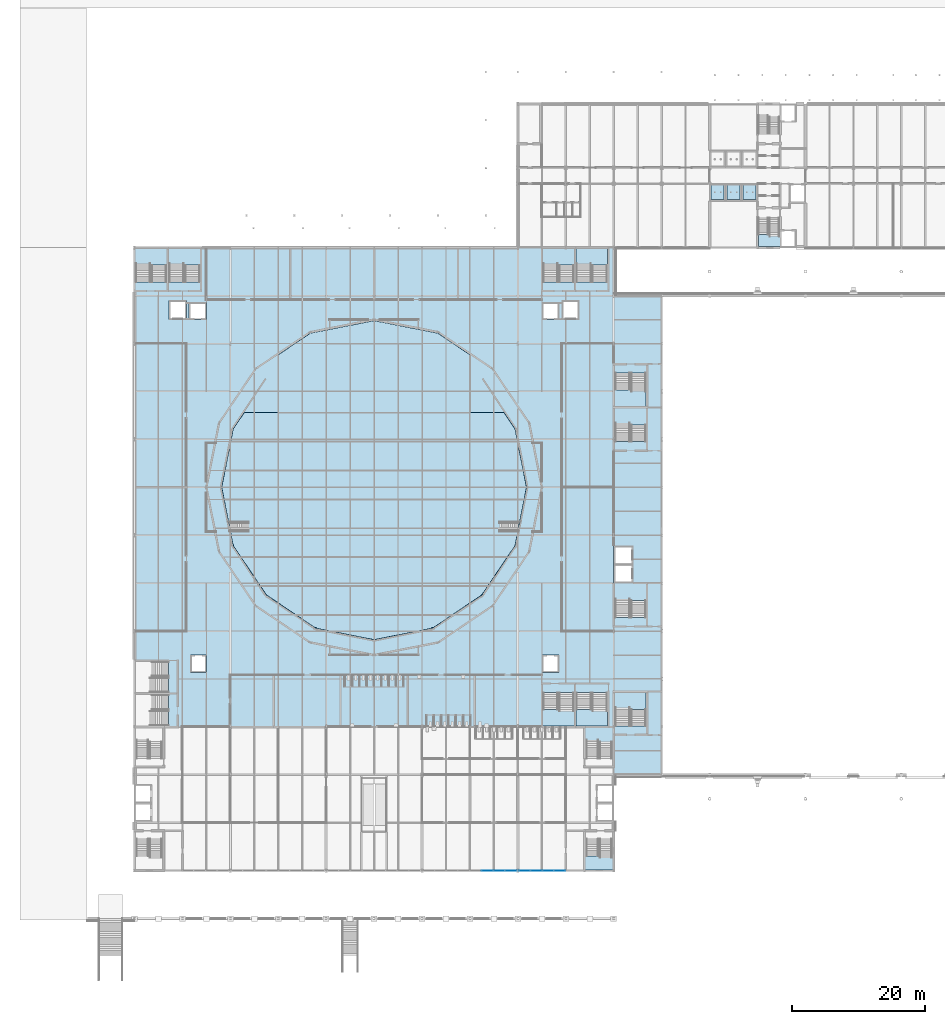
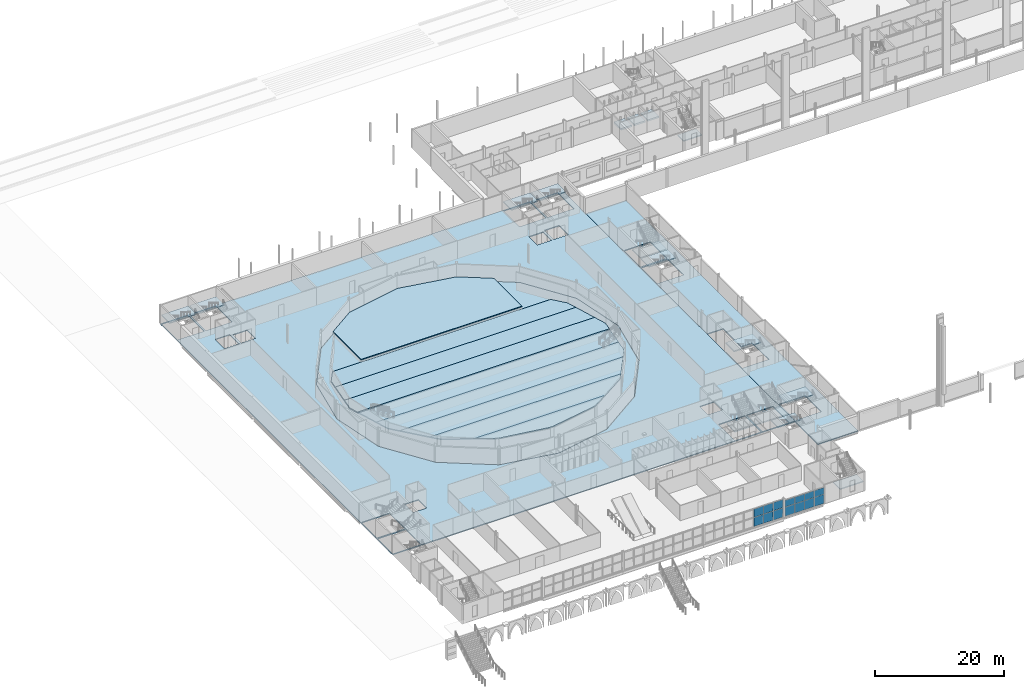
# One storey, part 43 of 90: 28 slabs, 14 plates, 15 elements without a shape of their own.
"""IFC4 building model written with IfcOpenShell, lengths in metres."""

from ifc_helpers import new_model, si_unit, direction, frame, origin, origin_2d, place, context, subcontext, project, spatial, polyline, rectangle, outline, extrude, material, layer, layer_set, type_object, element, aggregate, save


model = new_model("IFC4")

# Units and contexts
model_context = context("Model", 3, precision=1e-05, world=origin(), true_north=direction((0.0, 1.0)))
body_context = subcontext(model_context, "Body", "Model", "MODEL_VIEW")
ifc_project = project(units=[si_unit("LENGTHUNIT", "METRE"), si_unit("AREAUNIT", "SQUARE_METRE"), si_unit("VOLUMEUNIT", "CUBIC_METRE"), si_unit("PLANEANGLEUNIT", "RADIAN"), si_unit("MASSUNIT", "GRAM", prefix="KILO")], contexts=[model_context])

# Site, building, storey
site_placement = place(None, origin())
site = spatial("IfcSite", under=ifc_project, at=site_placement, CompositionType="ELEMENT")
building_placement = place(site_placement, origin())
building = spatial("IfcBuilding", under=site, at=building_placement, Name="Kupolbacken Congress Centre", CompositionType="ELEMENT")
storey_placement = place(building_placement, frame((0.0, 0.0, 3.60009765625)))
storey = spatial("IfcBuildingStorey", under=building, at=storey_placement, Name="L01", CompositionType="ELEMENT", Elevation=3.60009765625)

# Slabs
ifc_material_1 = material(Name="Concrete C30/37", Category="concrete")
ifc_layer_1 = layer(ifc_material_1, 0.300048828125)
ifc_layer_set_1 = layer_set([ifc_layer_1], Name="Concrete C30/37")
slab_type_1 = type_object("IfcSlabType", Name="BS3 slab 300", PredefinedType="BASESLAB", material=ifc_layer_set_1)
slab_1_placement = place(storey_placement, frame((0.0, 0.0, 1.89990234375)))
element("IfcSlab", 1, at=slab_1_placement, inside=storey, type_object=slab_type_1, Name="Lift pit slab LP9", PredefinedType="BASESLAB", context=body_context, shape_type="SweptSolid", body=[
    extrude(outline(polyline([(93.800048828125, 129.60009765625), (95.800048828125, 129.60009765625), (95.800048828125, 131.800048828125), (93.800048828125, 131.800048828125), (93.800048828125, 129.60009765625)])), origin(), (0.0, 0.0, 1.0), 0.300048828125),
])
slab_2_placement = place(storey_placement, frame((0.0, 0.0, 1.89990234375)))
element("IfcSlab", 2, at=slab_2_placement, inside=storey, type_object=slab_type_1, Name="Lift pit slab LP10", PredefinedType="BASESLAB", context=body_context, shape_type="SweptSolid", body=[
    extrude(outline(polyline([(96.199951171875, 129.60009765625), (98.199951171875, 129.60009765625), (98.199951171875, 131.800048828125), (96.199951171875, 131.800048828125), (96.199951171875, 129.60009765625)])), origin(), (0.0, 0.0, 1.0), 0.300048828125),
])
slab_3_placement = place(storey_placement, frame((0.0, 0.0, 1.89990234375)))
element("IfcSlab", 3, at=slab_3_placement, inside=storey, type_object=slab_type_1, Name="Lift pit slab LP11", PredefinedType="BASESLAB", context=body_context, shape_type="SweptSolid", body=[
    extrude(outline(polyline([(98.60009765625, 129.60009765625), (100.60009765625, 129.60009765625), (100.60009765625, 131.800048828125), (98.60009765625, 131.800048828125), (98.60009765625, 129.60009765625)])), origin(), (0.0, 0.0, 1.0), 0.300048828125),
])
ifc_material_2 = material(Name="Concrete C30/37", Category="concrete")
ifc_layer_2 = layer(ifc_material_2, 0.10009765625)
ifc_material_3 = material(Name="Steel S350 profiled deck", Category="steel")
ifc_layer_3 = layer(ifc_material_3, 0.06005859375)
ifc_layer_set_2 = layer_set([ifc_layer_2, ifc_layer_3], Name="Concrete C30/37 / Steel S350 profiled deck")
slab_type_2 = type_object("IfcSlabType", Name="FS2 slab 160", PredefinedType="FLOOR", material=ifc_layer_set_2)
slab_4_placement = place(storey_placement, frame((0.0, 0.0, 0.539794921875)))
element("IfcSlab", 4, at=slab_4_placement, inside=storey, type_object=slab_type_2, Name="Stage platform", PredefinedType="FLOOR", context=body_context, shape_type="SweptSolid", body=[
    extrude(outline(polyline([(33.612548828125, 109.54931640625), (43.199951171875, 111.43701171875), (52.787353515625, 109.54931640625), (57.60009765625, 106.301513671875), (57.60009765625, 97.60009765625), (28.800048828125, 97.60009765625), (28.800048828125, 106.301513671875), (33.612548828125, 109.54931640625)])), origin(), (0.0, 0.0, 1.0), 0.16015625),
])
ifc_layer_4 = layer(ifc_material_2, 0.1201171875)
ifc_layer_5 = layer(ifc_material_3, 0.06005859375)
ifc_layer_set_3 = layer_set([ifc_layer_4, ifc_layer_5], Name="Concrete C30/37 / Steel S350 profiled deck")
slab_type_3 = type_object("IfcSlabType", Name="FS3 slab 180", PredefinedType="FLOOR", material=ifc_layer_set_3)
slab_5_placement = place(storey_placement, frame((0.0, 0.0, -0.18017578125)))
element("IfcSlab", 5, at=slab_5_placement, inside=storey, type_object=slab_type_3, Name="S/floor/P/L01/slab/slab", PredefinedType="FLOOR", context=body_context, shape_type="SweptSolid", body=[
    extrude(outline(polyline([(7.200439453125, 50.400390625), (79.199462890625, 50.400390625), (79.199462890625, 122.3994140625), (7.200439453125, 122.3994140625), (7.200439453125, 50.400390625)]), holes=[polyline([(73.5244140625, 50.5244140625), (73.5244140625, 55.54052734375), (78.275390625, 55.54052734375), (78.275390625, 50.5244140625), (73.5244140625, 50.5244140625)]), polyline([(73.5244140625, 117.259521484375), (73.5244140625, 122.275390625), (78.275390625, 122.275390625), (78.275390625, 117.259521484375), (73.5244140625, 117.259521484375)]), polyline([(71.3994140625, 111.599609375), (71.3994140625, 114.50048828125), (74.00048828125, 114.50048828125), (74.00048828125, 111.599609375), (71.3994140625, 111.599609375)]), polyline([(73.275390625, 50.5244140625), (68.5244140625, 50.5244140625), (68.5244140625, 55.54052734375), (73.275390625, 55.54052734375), (73.275390625, 50.5244140625)]), polyline([(68.5244140625, 117.259521484375), (68.5244140625, 122.275390625), (73.275390625, 122.275390625), (73.275390625, 117.259521484375), (68.5244140625, 117.259521484375)]), polyline([(68.3994140625, 58.599609375), (68.3994140625, 61.200439453125), (71.00048828125, 61.200439453125), (71.00048828125, 58.599609375), (68.3994140625, 58.599609375)]), polyline([(68.3994140625, 111.599609375), (68.3994140625, 114.200439453125), (71.00048828125, 114.200439453125), (71.00048828125, 111.599609375), (68.3994140625, 111.599609375)]), polyline([(52.85009765625, 63.099609375), (43.199951171875, 61.199462890625), (33.5498046875, 63.099609375), (25.399658203125, 68.599609375), (19.8994140625, 76.749755859375), (17.99951171875, 86.39990234375), (19.8994140625, 96.05029296875), (25.399658203125, 104.200439453125), (33.5498046875, 109.700439453125), (43.199951171875, 111.6005859375), (52.85009765625, 109.700439453125), (61.000244140625, 104.200439453125), (66.50048828125, 96.05029296875), (68.400390625, 86.39990234375), (66.50048828125, 76.749755859375), (61.000244140625, 68.599609375), (52.85009765625, 63.099609375)]), polyline([(15.599609375, 58.599609375), (15.599609375, 61.200439453125), (18.00048828125, 61.200439453125), (18.00048828125, 58.599609375), (15.599609375, 58.599609375)]), polyline([(15.3994140625, 111.599609375), (15.3994140625, 114.200439453125), (18.00048828125, 114.200439453125), (18.00048828125, 111.599609375), (15.3994140625, 111.599609375)]), polyline([(12.324462890625, 117.259521484375), (12.324462890625, 122.275390625), (17.075439453125, 122.275390625), (17.075439453125, 117.259521484375), (12.324462890625, 117.259521484375)]), polyline([(12.3994140625, 111.599609375), (12.3994140625, 114.50048828125), (15.00048828125, 114.50048828125), (15.00048828125, 111.599609375), (12.3994140625, 111.599609375)]), polyline([(12.340576171875, 55.275390625), (12.340576171875, 50.5244140625), (7.324462890625, 50.5244140625), (7.324462890625, 55.275390625), (12.340576171875, 55.275390625)]), polyline([(7.324462890625, 55.5244140625), (7.324462890625, 60.275390625), (12.340576171875, 60.275390625), (12.340576171875, 55.5244140625), (7.324462890625, 55.5244140625)]), polyline([(7.324462890625, 117.259521484375), (7.324462890625, 122.275390625), (12.075439453125, 122.275390625), (12.075439453125, 117.259521484375), (7.324462890625, 117.259521484375)])]), origin(), (0.0, 0.0, 1.0), 0.18017578125),
])
slab_6_placement = place(storey_placement, frame((0.0, 0.0, -0.18017578125)))
element("IfcSlab", 6, at=slab_6_placement, inside=storey, type_object=slab_type_3, Name="S/floor/LINK/L01/slab/slab", PredefinedType="FLOOR", context=body_context, shape_type="SweptSolid", body=[
    extrude(outline(polyline([(86.3994140625, 43.200439453125), (86.3994140625, 115.199462890625), (79.200439453125, 115.199462890625), (79.200439453125, 77.6005859375), (82.1005859375, 77.6005859375), (82.1005859375, 72.00048828125), (84.075439453125, 72.00048828125), (84.075439453125, 66.859619140625), (79.324462890625, 66.859619140625), (79.324462890625, 71.99951171875), (79.200439453125, 71.99951171875), (79.200439453125, 43.200439453125), (86.3994140625, 43.200439453125)]), holes=[polyline([(79.324462890625, 98.275390625), (84.075439453125, 98.275390625), (84.075439453125, 93.259521484375), (79.324462890625, 93.259521484375), (79.324462890625, 98.275390625)]), polyline([(79.349609375, 103.5654296875), (84.050537109375, 103.5654296875), (84.050537109375, 98.549560546875), (79.349609375, 98.549560546875), (79.349609375, 103.5654296875)]), polyline([(79.349609375, 50.534423828125), (79.349609375, 55.550537109375), (84.050537109375, 55.550537109375), (84.050537109375, 50.534423828125), (79.349609375, 50.534423828125)])]), origin(), (0.0, 0.0, 1.0), 0.18017578125),
])

# Curtain wall, plates
ifc_material_4 = material(Name="Aluminium mullion-transom frame with glass", Category="aluminium")
curtain_wall_type = type_object("IfcCurtainWallType", Name="CW1 curtain wall 7200x3600", PredefinedType="NOTDEFINED", material=ifc_material_4)
curtain_wall_1_placement = place(storey_placement, origin())
curtain_wall_1 = element("IfcCurtainWall", 7, at=curtain_wall_1_placement, inside=storey, type_object=curtain_wall_type, Name="E/F/S/L01/143", PredefinedType="NOTDEFINED")
ifc_material_5 = material(Name="Glass", Category="glass")
ifc_layer_6 = layer(ifc_material_5, 0.035888671875)
ifc_layer_set_4 = layer_set([ifc_layer_6], Name="Glass")
plate_type = type_object("IfcPlateType", Name="GL2 glass panel 36", PredefinedType="CURTAIN_PANEL", material=ifc_layer_set_4)
plate_1_placement = place(storey_placement, frame((60.24365234375, 28.800048828125, 0.0498046875), z_axis=(0.0, 0.0, 1.0), x_axis=(1.0, 0.0, 0.0)))
plate_1 = element("IfcPlate", 8, at=plate_1_placement, type_object=plate_type, Name="CW1 panel 2.1", PredefinedType="CURTAIN_PANEL", context=body_context, shape_type="SweptSolid", body=[
    extrude(rectangle(XDim=1.71240234375, YDim=0.035888671875, at=origin_2d()), origin(), (0.0, 0.0, 1.0), 1.72509765625),
])
plate_2_placement = place(storey_placement, frame((60.24365234375, 28.800048828125, 1.824951171875), z_axis=(0.0, 0.0, 1.0), x_axis=(1.0, 0.0, 0.0)))
plate_2 = element("IfcPlate", 9, at=plate_2_placement, type_object=plate_type, Name="CW1 panel 2.2", PredefinedType="CURTAIN_PANEL", context=body_context, shape_type="SweptSolid", body=[
    extrude(rectangle(XDim=1.71240234375, YDim=0.035888671875, at=origin_2d()), origin(), (0.0, 0.0, 1.0), 1.544921875),
])
plate_3_placement = place(storey_placement, frame((62.00634765625, 28.800048828125, 0.0498046875), z_axis=(0.0, 0.0, 1.0), x_axis=(1.0, 0.0, 0.0)))
plate_3 = element("IfcPlate", 10, at=plate_3_placement, type_object=plate_type, Name="CW1 panel 3.1", PredefinedType="CURTAIN_PANEL", context=body_context, shape_type="SweptSolid", body=[
    extrude(rectangle(XDim=1.71240234375, YDim=0.035888671875, at=origin_2d()), origin(), (0.0, 0.0, 1.0), 1.72509765625),
])
plate_4_placement = place(storey_placement, frame((62.00634765625, 28.800048828125, 1.824951171875), z_axis=(0.0, 0.0, 1.0), x_axis=(1.0, 0.0, 0.0)))
plate_4 = element("IfcPlate", 11, at=plate_4_placement, type_object=plate_type, Name="CW1 panel 3.2", PredefinedType="CURTAIN_PANEL", context=body_context, shape_type="SweptSolid", body=[
    extrude(rectangle(XDim=1.71240234375, YDim=0.035888671875, at=origin_2d()), origin(), (0.0, 0.0, 1.0), 1.544921875),
])
plate_5_placement = place(storey_placement, frame((63.75634765625, 28.800048828125, 0.0498046875), z_axis=(0.0, 0.0, 1.0), x_axis=(1.0, 0.0, 0.0)))
plate_5 = element("IfcPlate", 12, at=plate_5_placement, type_object=plate_type, Name="CW1 panel 4.1", PredefinedType="CURTAIN_PANEL", context=body_context, shape_type="SweptSolid", body=[
    extrude(rectangle(XDim=1.6875, YDim=0.035888671875, at=origin_2d()), origin(), (0.0, 0.0, 1.0), 1.72509765625),
])
plate_6_placement = place(storey_placement, frame((63.75634765625, 28.800048828125, 1.824951171875), z_axis=(0.0, 0.0, 1.0), x_axis=(1.0, 0.0, 0.0)))
plate_6 = element("IfcPlate", 13, at=plate_6_placement, type_object=plate_type, Name="CW1 panel 4.2", PredefinedType="CURTAIN_PANEL", context=body_context, shape_type="SweptSolid", body=[
    extrude(rectangle(XDim=1.6875, YDim=0.035888671875, at=origin_2d()), origin(), (0.0, 0.0, 1.0), 1.544921875),
])
aggregate(curtain_wall_1, [plate_1, plate_2, plate_3, plate_4, plate_5, plate_6])

curtain_wall_2_placement = place(storey_placement, origin())
curtain_wall_2 = element("IfcCurtainWall", 14, at=curtain_wall_2_placement, inside=storey, type_object=curtain_wall_type, Name="E/F/S/L01/144", PredefinedType="NOTDEFINED")
plate_7_placement = place(storey_placement, frame((65.84375, 28.800048828125, 0.0498046875), z_axis=(0.0, 0.0, 1.0), x_axis=(1.0, 0.0, 0.0)))
plate_7 = element("IfcPlate", 15, at=plate_7_placement, type_object=plate_type, Name="CW1 panel 1.1", PredefinedType="CURTAIN_PANEL", context=body_context, shape_type="SweptSolid", body=[
    extrude(rectangle(XDim=1.6875, YDim=0.035888671875, at=origin_2d()), origin(), (0.0, 0.0, 1.0), 1.72509765625),
])
plate_8_placement = place(storey_placement, frame((65.84375, 28.800048828125, 1.824951171875), z_axis=(0.0, 0.0, 1.0), x_axis=(1.0, 0.0, 0.0)))
plate_8 = element("IfcPlate", 16, at=plate_8_placement, type_object=plate_type, Name="CW1 panel 1.2", PredefinedType="CURTAIN_PANEL", context=body_context, shape_type="SweptSolid", body=[
    extrude(rectangle(XDim=1.6875, YDim=0.035888671875, at=origin_2d()), origin(), (0.0, 0.0, 1.0), 1.2451171875),
])
plate_9_placement = place(storey_placement, frame((67.59375, 28.800048828125, 0.0498046875), z_axis=(0.0, 0.0, 1.0), x_axis=(1.0, 0.0, 0.0)))
plate_9 = element("IfcPlate", 17, at=plate_9_placement, type_object=plate_type, Name="CW1 panel 2.1", PredefinedType="CURTAIN_PANEL", context=body_context, shape_type="SweptSolid", body=[
    extrude(rectangle(XDim=1.71240234375, YDim=0.035888671875, at=origin_2d()), origin(), (0.0, 0.0, 1.0), 1.72509765625),
])
plate_10_placement = place(storey_placement, frame((67.59375, 28.800048828125, 1.824951171875), z_axis=(0.0, 0.0, 1.0), x_axis=(1.0, 0.0, 0.0)))
plate_10 = element("IfcPlate", 18, at=plate_10_placement, type_object=plate_type, Name="CW1 panel 2.2", PredefinedType="CURTAIN_PANEL", context=body_context, shape_type="SweptSolid", body=[
    extrude(rectangle(XDim=1.71240234375, YDim=0.035888671875, at=origin_2d()), origin(), (0.0, 0.0, 1.0), 1.2451171875),
])
plate_11_placement = place(storey_placement, frame((69.356201171875, 28.800048828125, 0.0498046875), z_axis=(0.0, 0.0, 1.0), x_axis=(1.0, 0.0, 0.0)))
plate_11 = element("IfcPlate", 19, at=plate_11_placement, type_object=plate_type, Name="CW1 panel 3.1", PredefinedType="CURTAIN_PANEL", context=body_context, shape_type="SweptSolid", body=[
    extrude(rectangle(XDim=1.71240234375, YDim=0.035888671875, at=origin_2d()), origin(), (0.0, 0.0, 1.0), 1.72509765625),
])
plate_12_placement = place(storey_placement, frame((69.356201171875, 28.800048828125, 1.824951171875), z_axis=(0.0, 0.0, 1.0), x_axis=(1.0, 0.0, 0.0)))
plate_12 = element("IfcPlate", 20, at=plate_12_placement, type_object=plate_type, Name="CW1 panel 3.2", PredefinedType="CURTAIN_PANEL", context=body_context, shape_type="SweptSolid", body=[
    extrude(rectangle(XDim=1.71240234375, YDim=0.035888671875, at=origin_2d()), origin(), (0.0, 0.0, 1.0), 1.2451171875),
])
plate_13_placement = place(storey_placement, frame((71.106201171875, 28.800048828125, 0.0498046875), z_axis=(0.0, 0.0, 1.0), x_axis=(1.0, 0.0, 0.0)))
plate_13 = element("IfcPlate", 21, at=plate_13_placement, type_object=plate_type, Name="CW1 panel 4.1", PredefinedType="CURTAIN_PANEL", context=body_context, shape_type="SweptSolid", body=[
    extrude(rectangle(XDim=1.6875, YDim=0.035888671875, at=origin_2d()), origin(), (0.0, 0.0, 1.0), 1.72509765625),
])
plate_14_placement = place(storey_placement, frame((71.106201171875, 28.800048828125, 1.824951171875), z_axis=(0.0, 0.0, 1.0), x_axis=(1.0, 0.0, 0.0)))
plate_14 = element("IfcPlate", 22, at=plate_14_placement, type_object=plate_type, Name="CW1 panel 4.2", PredefinedType="CURTAIN_PANEL", context=body_context, shape_type="SweptSolid", body=[
    extrude(rectangle(XDim=1.6875, YDim=0.035888671875, at=origin_2d()), origin(), (0.0, 0.0, 1.0), 1.2451171875),
])
aggregate(curtain_wall_2, [plate_7, plate_8, plate_9, plate_10, plate_11, plate_12, plate_13, plate_14])

# Slabs
ifc_layer_7 = layer(ifc_material_2, 0.1298828125)
ifc_layer_8 = layer(ifc_material_3, 0.06005859375)
ifc_layer_set_5 = layer_set([ifc_layer_7, ifc_layer_8], Name="Concrete C30/37 / Steel S350 profiled deck")
slab_type_4 = type_object("IfcSlabType", Name="RF1 slab 190", PredefinedType="FLOOR", material=ifc_layer_set_5)
slab_7_placement = place(storey_placement, frame((0.0, 0.0, -0.190185546875)))
element("IfcSlab", 23, at=slab_7_placement, inside=storey, type_object=slab_type_4, Name="S/floor/PL/L01/slab/slab", PredefinedType="FLOOR", context=body_context, shape_type="SweptSolid", body=[
    extrude(outline(polyline([(66.49951171875, 96.0498046875), (60.999755859375, 104.19970703125), (52.849853515625, 109.699462890625), (43.199951171875, 111.599609375), (33.55029296875, 109.699462890625), (25.400390625, 104.19970703125), (19.900390625, 96.0498046875), (18.00048828125, 86.39990234375), (19.900390625, 76.750244140625), (25.400390625, 68.600341796875), (33.55029296875, 63.1005859375), (43.199951171875, 61.200439453125), (52.849853515625, 63.1005859375), (60.999755859375, 68.600341796875), (66.49951171875, 76.750244140625), (68.3994140625, 86.39990234375), (66.49951171875, 96.0498046875)])), origin(), (0.0, 0.0, 1.0), 0.190185546875),
])
slab_8_placement = place(storey_placement, frame((22.029052734375, 95.164794921875, 0.42919921875), z_axis=(0.0, 0.097790471439, 0.995207025546), x_axis=(0.557562901908, 0.826155879758, -0.081179263098)))
element("IfcSlab", 24, at=slab_8_placement, inside=storey, type_object=slab_type_4, Name="Raked stalls tier 1", PredefinedType="FLOOR", context=body_context, shape_type="SweptSolid", body=[
    extrude(outline(polyline([(0.0, 0.0), (2.947747566910946, -4.40619762898109e-16), (24.72332858628814, -32.420853732164915), (23.608215137636822, -35.149394598183555), (22.229947757769523, -36.526552579134055), (-1.7960311850324833, -0.7551649691543693), (0.0, 0.0)])), origin(), (0.0, 0.0, -1.0), 0.18994140625),
])
slab_9_placement = place(storey_placement, frame((21.654541015625, 93.261962890625, 0.6162109375), z_axis=(0.0, 0.097817319288, 0.995204387072), x_axis=(1.0, 0.0, 0.0)))
element("IfcSlab", 25, at=slab_9_placement, inside=storey, type_object=slab_type_4, Name="Raked stalls tier 2", PredefinedType="FLOOR", context=body_context, shape_type="SweptSolid", body=[
    extrude(outline(polyline([(0.0, 0.0), (43.091064453125, 0.0), (43.945068359375, -4.357812444195179), (-0.85400390625, -4.357812444195179), (0.0, 0.0)])), origin(), (0.0, 0.0, -1.0), 0.18994140625),
])
slab_10_placement = place(storey_placement, frame((20.303466796875, 86.39990234375, 1.29052734375), z_axis=(0.0, 0.097790111549, 0.995207060909), x_axis=(0.192250759789, 0.976642302912, -0.095965918547)))
element("IfcSlab", 26, at=slab_10_placement, inside=storey, type_object=slab_type_4, Name="Raked stalls tier 3", PredefinedType="FLOOR", context=body_context, shape_type="SweptSolid", body=[
    extrude(outline(polyline([(0.0, 0.0), (2.5855310691398508, -2.3418766925686896e-17), (11.198186750045078, -43.963382922414674), (8.803779971398512, -44.93897868289072), (6.947367929519142, -44.93869223051814), (-1.719123596473462, -0.700503724295505), (0.0, 0.0)])), origin(), (0.0, 0.0, -1.0), 0.18994140625),
])
slab_11_placement = place(storey_placement, frame((20.660400390625, 84.5869140625, 1.46875), z_axis=(0.0, 0.097817319288, 0.995204387072), x_axis=(1.0, 0.0, 0.0)))
element("IfcSlab", 27, at=slab_11_placement, inside=storey, type_object=slab_type_4, Name="Raked stalls tier 4", PredefinedType="FLOOR", context=body_context, shape_type="SweptSolid", body=[
    extrude(outline(polyline([(0.0, 0.0), (45.0791015625, 0.0), (44.225341796875, -4.3578124441951775), (0.85400390625, -4.3578124441951775), (0.0, 0.0)])), origin(), (0.0, 0.0, -1.0), 0.18994140625),
])
slab_12_placement = place(storey_placement, frame((64.33349609375, 77.7958984375, 2.135986328125), z_axis=(0.0, 0.097793778616, 0.995206700572), x_axis=(0.0, -0.995206700572, 0.097793778616)))
element("IfcSlab", 28, at=slab_12_placement, inside=storey, type_object=slab_type_4, Name="Raked stalls tier 5", PredefinedType="FLOOR", context=body_context, shape_type="SweptSolid", body=[
    extrude(outline(polyline([(0.0, 0.0), (0.21710595428371043, 0.0), (1.8928809520472205, -1.1254882812499998), (1.8928809520472205, -41.14160156249999), (0.21710595428371043, -42.26708984374999), (0.0, -42.26708984374999), (0.0, -42.33593749999999), (-2.465903372472353, -42.81909179687499), (-2.465903372472353, 0.5522460937499999), (0.0, 0.06909179687499999), (0.0, 0.0)])), origin(), (0.0, 0.0, -1.0), 0.18994140625),
])
slab_13_placement = place(storey_placement, frame((60.28125, 71.574951171875, 2.747314453125), z_axis=(0.0, 0.097756380746, 0.995210374757), x_axis=(-1.0, 0.0, 0.0)))
element("IfcSlab", 29, at=slab_13_placement, inside=storey, type_object=slab_type_4, Name="Raked stalls tier 6", PredefinedType="FLOOR", context=body_context, shape_type="SweptSolid", body=[
    extrude(outline(polyline([(0.0, 0.0), (34.162353515625, 0.0), (37.08935546875, -4.358031541004684), (-2.9267578125, -4.358031541004684), (0.0, 0.0)])), origin(), (0.0, 0.0, -1.0), 0.18994140625),
])
slab_14_placement = place(storey_placement, frame((59.430908203125, 70.31494140625, 2.87109375), z_axis=(0.0, 0.097801327155, 0.995205958788), x_axis=(-1.0, 0.0, 0.0)))
element("IfcSlab", 30, at=slab_14_placement, inside=storey, type_object=slab_type_4, Name="Raked stalls tier 7", PredefinedType="FLOOR", context=body_context, shape_type="SweptSolid", body=[
    extrude(outline(polyline([(0.0, 0.0), (0.095703125, 0.0), (0.095703125, 0.1126216787433409), (4.49072265625, 3.09270931806218), (27.970947265625, 3.09270931806218), (32.365966796875, 0.1126216787433409), (32.365966796875, 0.0), (32.461669921875, 0.0), (33.31201171875, -1.266075006389492), (-0.850341796875, -1.266075006389492), (0.0, 0.0)])), origin(), (0.0, 0.0, -1.0), 0.18994140625),
])
slab_15_placement = place(storey_placement, frame((52.093994140625, 65.31640625, 3.3623046875), z_axis=(0.0, 0.097856322773, 0.995200552699), x_axis=(-1.0, 0.0, 0.0)))
element("IfcSlab", 31, at=slab_15_placement, inside=storey, type_object=slab_type_4, Name="Raked stalls tier 8", PredefinedType="FLOOR", context=body_context, shape_type="SweptSolid", body=[
    extrude(outline(polyline([(0.0, 0.0), (0.23974609375, 0.0), (0.23974609375, 0.10968217323765916), (8.723876953125, 1.7881298369274259), (8.723876953125, 1.7638370102807026), (9.06396484375, 1.7638370102807026), (9.06396484375, 1.7881298369274259), (17.548095703125, 0.10968217323765916), (17.548095703125, 0.0), (17.7880859375, 0.0), (20.634033203125, -1.9299037318335748), (-2.84619140625, -1.9299037318335748), (0.0, 0.0)])), origin(), (0.0, 0.0, -1.0), 0.18994140625),
])

# Stair, slab
ifc_material_6 = material(Name="Steel S355", Category="steel")
stair_type_1 = type_object("IfcStairType", Name="ST2 stair 1500", PredefinedType="TWO_STRAIGHT_RUN_STAIR", material=ifc_material_6)
stair_1_placement = place(storey_placement, origin())
stair_1 = element("IfcStair", 32, at=stair_1_placement, inside=storey, type_object=stair_type_1, Name="C/stair/TS1/L01", PredefinedType="NOTDEFINED")
ifc_material_7 = material(Name="Concrete C30/37 precast", Category="concrete")
ifc_layer_9 = layer(ifc_material_7, 0.175048828125)
ifc_layer_set_6 = layer_set([ifc_layer_9], Name="Concrete C30/37 precast")
slab_type_5 = type_object("IfcSlabType", Name="SL1 slab 175", PredefinedType="LANDING", material=ifc_layer_set_6)
slab_16_placement = place(storey_placement, frame((0.0, 0.0, 1.539306640625)))
slab_16 = element("IfcSlab", 33, at=slab_16_placement, type_object=slab_type_5, Name="TS1 landing 1", PredefinedType="LANDING", context=body_context, shape_type="SweptSolid", body=[
    extrude(outline(polyline([(100.955078125, 122.554931640625), (104.219970703125, 122.554931640625), (104.219970703125, 124.3798828125), (100.955078125, 124.3798828125), (100.955078125, 122.554931640625)])), origin(), (0.0, 0.0, 1.0), 0.1748046875),
])
aggregate(stair_1, [slab_16])

ifc_material_8 = material(Name="Steel S355", Category="steel")
stair_type_2 = type_object("IfcStairType", Name="ST3 stair 1800", PredefinedType="TWO_STRAIGHT_RUN_STAIR", material=ifc_material_8)
stair_2_placement = place(storey_placement, origin())
stair_2 = element("IfcStair", 34, at=stair_2_placement, inside=storey, type_object=stair_type_2, Name="C/stair/FS1E/L01", PredefinedType="NOTDEFINED")
ifc_layer_10 = layer(ifc_material_2, 0.175048828125)
ifc_material_9 = material(Name="Limestone", Category="masonry")
ifc_layer_11 = layer(ifc_material_9, 0.030029296875)
ifc_layer_set_7 = layer_set([ifc_layer_10, ifc_layer_11], Name="Concrete C30/37 / Limestone")
slab_type_6 = type_object("IfcSlabType", Name="SL2 slab 205", PredefinedType="LANDING", material=ifc_layer_set_7)
slab_17_placement = place(storey_placement, frame((0.0, 0.0, 1.50927734375)))
slab_17 = element("IfcSlab", 35, at=slab_17_placement, type_object=slab_type_6, Name="FS1E landing 1", PredefinedType="LANDING", context=body_context, shape_type="SweptSolid", body=[
    extrude(outline(polyline([(74.905029296875, 28.905029296875), (79.094970703125, 28.905029296875), (79.094970703125, 31.030029296875), (74.905029296875, 31.030029296875), (74.905029296875, 28.905029296875)])), origin(), (0.0, 0.0, 1.0), 0.204833984375),
])
aggregate(stair_2, [slab_17])

stair_3_placement = place(storey_placement, origin())
stair_3 = element("IfcStair", 36, at=stair_3_placement, inside=storey, type_object=stair_type_2, Name="C/stair/FS2E/L01", PredefinedType="NOTDEFINED")
slab_18_placement = place(storey_placement, frame((0.0, 0.0, 1.50927734375)))
slab_18 = element("IfcSlab", 37, at=slab_18_placement, type_object=slab_type_6, Name="FS2E landing 1", PredefinedType="LANDING", context=body_context, shape_type="SweptSolid", body=[
    extrude(outline(polyline([(74.905029296875, 48.169921875), (79.094970703125, 48.169921875), (79.094970703125, 50.294921875), (74.905029296875, 50.294921875), (74.905029296875, 48.169921875)])), origin(), (0.0, 0.0, 1.0), 0.204833984375),
])
aggregate(stair_3, [slab_18])

ifc_material_10 = material(Name="Concrete C30/37", Category="concrete")
stair_type_3 = type_object("IfcStairType", Name="ST13 stair 2200", PredefinedType="TWO_STRAIGHT_RUN_STAIR", material=ifc_material_10)
stair_4_placement = place(storey_placement, origin())
stair_4 = element("IfcStair", 38, at=stair_4_placement, inside=storey, type_object=stair_type_3, Name="C/stair/PS1SE/L01", PredefinedType="NOTDEFINED")
slab_19_placement = place(storey_placement, frame((0.0, 0.0, 1.50927734375)))
slab_19 = element("IfcSlab", 39, at=slab_19_placement, type_object=slab_type_6, Name="PS1SE landing 1", PredefinedType="LANDING", context=body_context, shape_type="SweptSolid", body=[
    extrude(outline(polyline([(68.5048828125, 50.5048828125), (73.294921875, 50.5048828125), (73.294921875, 53.030029296875), (68.5048828125, 53.030029296875), (68.5048828125, 50.5048828125)])), origin(), (0.0, 0.0, 1.0), 0.204833984375),
])
aggregate(stair_4, [slab_19])

stair_5_placement = place(storey_placement, origin())
stair_5 = element("IfcStair", 40, at=stair_5_placement, inside=storey, type_object=stair_type_3, Name="C/stair/PS2SE/L01", PredefinedType="NOTDEFINED")
slab_20_placement = place(storey_placement, frame((0.0, 0.0, 1.50927734375)))
slab_20 = element("IfcSlab", 41, at=slab_20_placement, type_object=slab_type_6, Name="PS2SE landing 1", PredefinedType="LANDING", context=body_context, shape_type="SweptSolid", body=[
    extrude(outline(polyline([(73.5048828125, 50.5048828125), (78.294921875, 50.5048828125), (78.294921875, 53.030029296875), (73.5048828125, 53.030029296875), (73.5048828125, 50.5048828125)])), origin(), (0.0, 0.0, 1.0), 0.204833984375),
])
aggregate(stair_5, [slab_20])

stair_6_placement = place(storey_placement, origin())
stair_6 = element("IfcStair", 42, at=stair_6_placement, inside=storey, type_object=stair_type_3, Name="C/stair/PS1NW/L01", PredefinedType="NOTDEFINED")
slab_21_placement = place(storey_placement, frame((0.0, 0.0, 1.50927734375)))
slab_21 = element("IfcSlab", 43, at=slab_21_placement, type_object=slab_type_6, Name="PS1NW landing 1", PredefinedType="LANDING", context=body_context, shape_type="SweptSolid", body=[
    extrude(outline(polyline([(7.304931640625, 119.77001953125), (12.094970703125, 119.77001953125), (12.094970703125, 122.294921875), (7.304931640625, 122.294921875), (7.304931640625, 119.77001953125)])), origin(), (0.0, 0.0, 1.0), 0.204833984375),
])
aggregate(stair_6, [slab_21])

stair_7_placement = place(storey_placement, origin())
stair_7 = element("IfcStair", 44, at=stair_7_placement, inside=storey, type_object=stair_type_3, Name="C/stair/PS2NW/L01", PredefinedType="NOTDEFINED")
slab_22_placement = place(storey_placement, frame((0.0, 0.0, 1.50927734375)))
slab_22 = element("IfcSlab", 45, at=slab_22_placement, type_object=slab_type_6, Name="PS2NW landing 1", PredefinedType="LANDING", context=body_context, shape_type="SweptSolid", body=[
    extrude(outline(polyline([(12.304931640625, 119.77001953125), (17.094970703125, 119.77001953125), (17.094970703125, 122.294921875), (12.304931640625, 122.294921875), (12.304931640625, 119.77001953125)])), origin(), (0.0, 0.0, 1.0), 0.204833984375),
])
aggregate(stair_7, [slab_22])

stair_8_placement = place(storey_placement, origin())
stair_8 = element("IfcStair", 46, at=stair_8_placement, inside=storey, type_object=stair_type_3, Name="C/stair/PS1NE/L01", PredefinedType="NOTDEFINED")
slab_23_placement = place(storey_placement, frame((0.0, 0.0, 1.50927734375)))
slab_23 = element("IfcSlab", 47, at=slab_23_placement, type_object=slab_type_6, Name="PS1NE landing 1", PredefinedType="LANDING", context=body_context, shape_type="SweptSolid", body=[
    extrude(outline(polyline([(68.5048828125, 119.77001953125), (73.294921875, 119.77001953125), (73.294921875, 122.294921875), (68.5048828125, 122.294921875), (68.5048828125, 119.77001953125)])), origin(), (0.0, 0.0, 1.0), 0.204833984375),
])
aggregate(stair_8, [slab_23])

stair_9_placement = place(storey_placement, origin())
stair_9 = element("IfcStair", 48, at=stair_9_placement, inside=storey, type_object=stair_type_3, Name="C/stair/PS2NE/L01", PredefinedType="NOTDEFINED")
slab_24_placement = place(storey_placement, frame((0.0, 0.0, 1.50927734375)))
slab_24 = element("IfcSlab", 49, at=slab_24_placement, type_object=slab_type_6, Name="PS2NE landing 1", PredefinedType="LANDING", context=body_context, shape_type="SweptSolid", body=[
    extrude(outline(polyline([(73.5048828125, 119.77001953125), (78.294921875, 119.77001953125), (78.294921875, 122.294921875), (73.5048828125, 122.294921875), (73.5048828125, 119.77001953125)])), origin(), (0.0, 0.0, 1.0), 0.204833984375),
])
aggregate(stair_9, [slab_24])

stair_10_placement = place(storey_placement, origin())
stair_10 = element("IfcStair", 50, at=stair_10_placement, inside=storey, type_object=stair_type_3, Name="C/stair/LS1/L01", PredefinedType="NOTDEFINED")
slab_25_placement = place(storey_placement, frame((0.0, 0.0, 1.50927734375)))
slab_25 = element("IfcSlab", 51, at=slab_25_placement, type_object=slab_type_6, Name="LS1 landing 1", PredefinedType="LANDING", context=body_context, shape_type="SweptSolid", body=[
    extrude(outline(polyline([(79.330078125, 53.044921875), (84.070068359375, 53.044921875), (84.070068359375, 55.570068359375), (79.330078125, 55.570068359375), (79.330078125, 53.044921875)])), origin(), (0.0, 0.0, 1.0), 0.204833984375),
])
aggregate(stair_10, [slab_25])

stair_11_placement = place(storey_placement, origin())
stair_11 = element("IfcStair", 52, at=stair_11_placement, inside=storey, type_object=stair_type_3, Name="C/stair/LS3/L01", PredefinedType="NOTDEFINED")
slab_26_placement = place(storey_placement, frame((0.0, 0.0, 1.50927734375)))
slab_26 = element("IfcSlab", 53, at=slab_26_placement, type_object=slab_type_6, Name="LS3 landing 1", PredefinedType="LANDING", context=body_context, shape_type="SweptSolid", body=[
    extrude(outline(polyline([(79.304931640625, 69.3701171875), (84.094970703125, 69.3701171875), (84.094970703125, 72.02001953125), (79.304931640625, 72.02001953125), (79.304931640625, 69.3701171875)])), origin(), (0.0, 0.0, 1.0), 0.204833984375),
])
aggregate(stair_11, [slab_26])

stair_12_placement = place(storey_placement, origin())
stair_12 = element("IfcStair", 54, at=stair_12_placement, inside=storey, type_object=stair_type_3, Name="C/stair/LS4/L01", PredefinedType="NOTDEFINED")
slab_27_placement = place(storey_placement, frame((0.0, 0.0, 1.50927734375)))
slab_27 = element("IfcSlab", 55, at=slab_27_placement, type_object=slab_type_6, Name="LS4 landing 1", PredefinedType="LANDING", context=body_context, shape_type="SweptSolid", body=[
    extrude(outline(polyline([(79.304931640625, 95.77001953125), (84.094970703125, 95.77001953125), (84.094970703125, 98.294921875), (79.304931640625, 98.294921875), (79.304931640625, 95.77001953125)])), origin(), (0.0, 0.0, 1.0), 0.204833984375),
])
aggregate(stair_12, [slab_27])

stair_13_placement = place(storey_placement, origin())
stair_13 = element("IfcStair", 56, at=stair_13_placement, inside=storey, type_object=stair_type_3, Name="C/stair/LS2/L01", PredefinedType="NOTDEFINED")
slab_28_placement = place(storey_placement, frame((0.0, 0.0, 1.50927734375)))
slab_28 = element("IfcSlab", 57, at=slab_28_placement, type_object=slab_type_6, Name="LS2 landing 1", PredefinedType="LANDING", context=body_context, shape_type="SweptSolid", body=[
    extrude(outline(polyline([(79.330078125, 98.530029296875), (84.070068359375, 98.530029296875), (84.070068359375, 101.054931640625), (79.330078125, 101.054931640625), (79.330078125, 98.530029296875)])), origin(), (0.0, 0.0, 1.0), 0.204833984375),
])
aggregate(stair_13, [slab_28])

save(model, "model.ifc")
